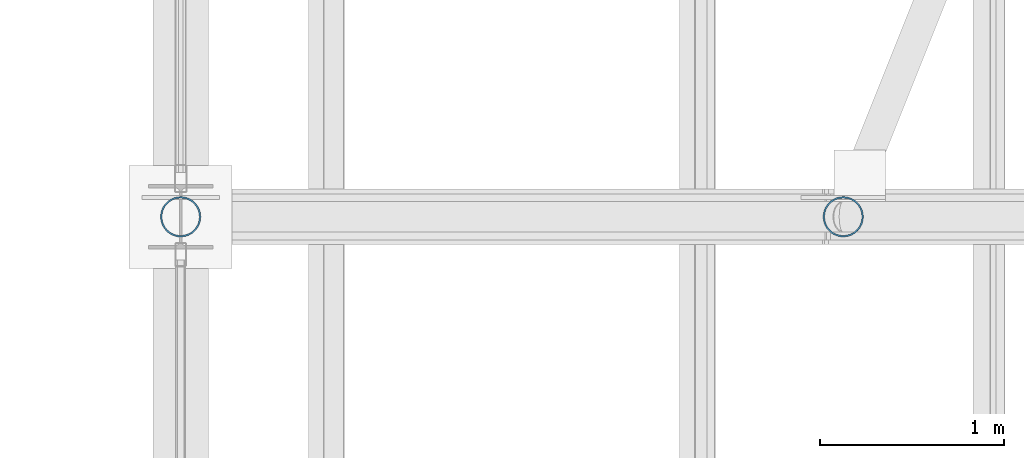
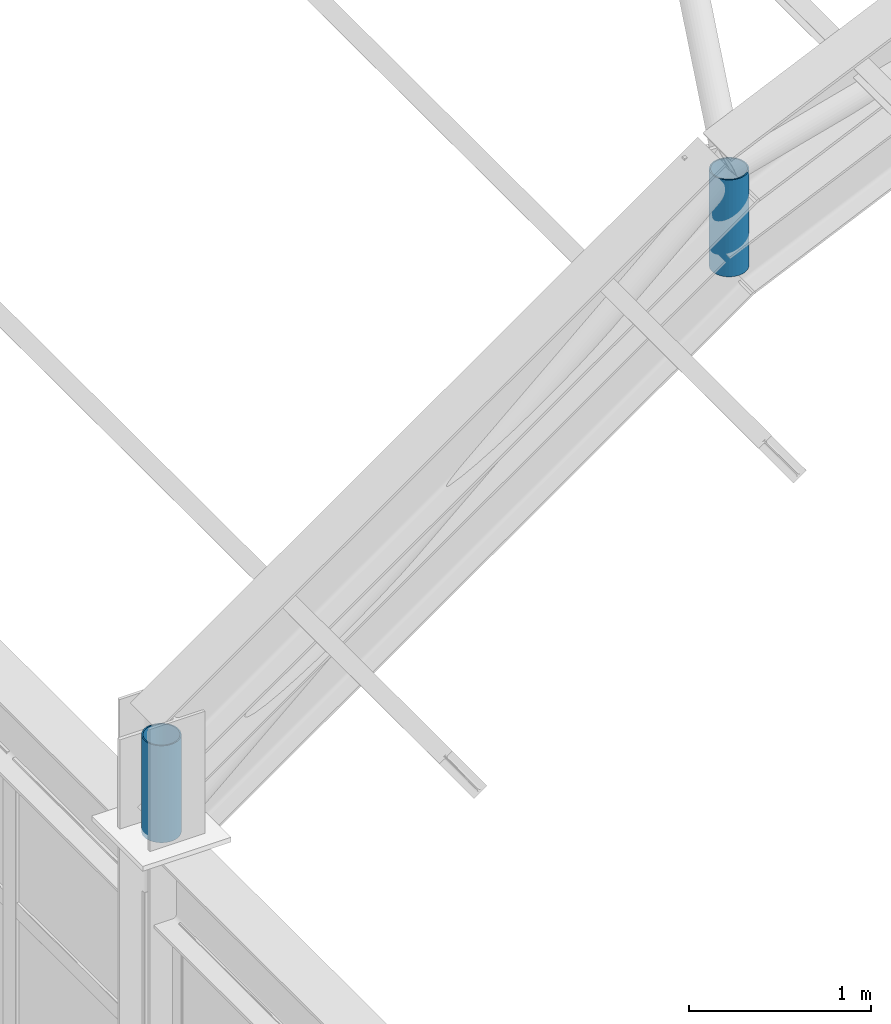
# One storey, part 87 of 121: 2 members.
"""IFC4 building model written with IfcOpenShell, lengths in metres."""

from ifc_helpers import new_model, si_unit, direction, frame, origin, origin_2d, place, context, subcontext, project, spatial, hollow_circle, extrude, material, material_profile, profile_set, type_object, element, save


model = new_model("IFC4")

# Units and contexts
model_context = context("Model", 3, precision=1e-05, world=origin(), true_north=direction((0.0, 1.0)))
body_context = subcontext(model_context, "Body", "Model", "MODEL_VIEW")
ifc_project = project(units=[si_unit("LENGTHUNIT", "METRE"), si_unit("AREAUNIT", "SQUARE_METRE"), si_unit("VOLUMEUNIT", "CUBIC_METRE"), si_unit("PLANEANGLEUNIT", "RADIAN"), si_unit("MASSUNIT", "GRAM", prefix="KILO")], contexts=[model_context])

# Site, building, storey
site_placement = place(None, origin())
site = spatial("IfcSite", under=ifc_project, at=site_placement, CompositionType="ELEMENT")
building_placement = place(site_placement, origin())
building = spatial("IfcBuilding", under=site, at=building_placement, Name="Canglan Escarpment Cableway Terminal", CompositionType="ELEMENT")
storey_placement = place(building_placement, frame((0.0, 0.0, 24.60009765625)))
storey = spatial("IfcBuildingStorey", under=building, at=storey_placement, Name="L05", CompositionType="ELEMENT", Elevation=24.60009765625)

# Members
ifc_material = material(Name="Steel Q355B", Category="steel")
ifc_material_profile = material_profile(ifc_material, hollow_circle(Radius=0.109619140625, WallThickness=0.008056640625, at=origin_2d()), Name="CHS 219.1x8")
ifc_profile_set = profile_set([ifc_material_profile], Name="Steel Q355B")
member_type = type_object("IfcMemberType", Name="MB-ARCH-WEB-CHS219", PredefinedType="BRACE", material=ifc_profile_set)
member_1_placement = place(storey_placement, frame((141.199951171875, 70.0, 4.966552734375), z_axis=(0.0, 0.0, 1.0), x_axis=(1.0, 0.0, 0.0)))
element("IfcMember", 1, at=member_1_placement, inside=storey, type_object=member_type, Name="Vault ROOF TRUSS vertical strut AR-WB1", PredefinedType="BRACE", context=body_context, shape_type="SweptSolid", body=[
    extrude(hollow_circle(Radius=0.109619140625, WallThickness=0.008056640625, at=origin_2d()), origin(), (0.0, 0.0, 1.0), 0.64990234375),
])
member_2_placement = place(storey_placement, frame((137.60009765625, 70.0, 2.432373046875), z_axis=(0.0, 0.0, 1.0), x_axis=(1.0, 0.0, 0.0)))
element("IfcMember", 2, at=member_2_placement, inside=storey, type_object=member_type, Name="Vault ROOF TRUSS springing strut AR-WB1", PredefinedType="BRACE", context=body_context, shape_type="SweptSolid", body=[
    extrude(hollow_circle(Radius=0.109619140625, WallThickness=0.008056640625, at=origin_2d()), origin(), (0.0, 0.0, 1.0), 0.650146484375),
])

save(model, "model.ifc")
